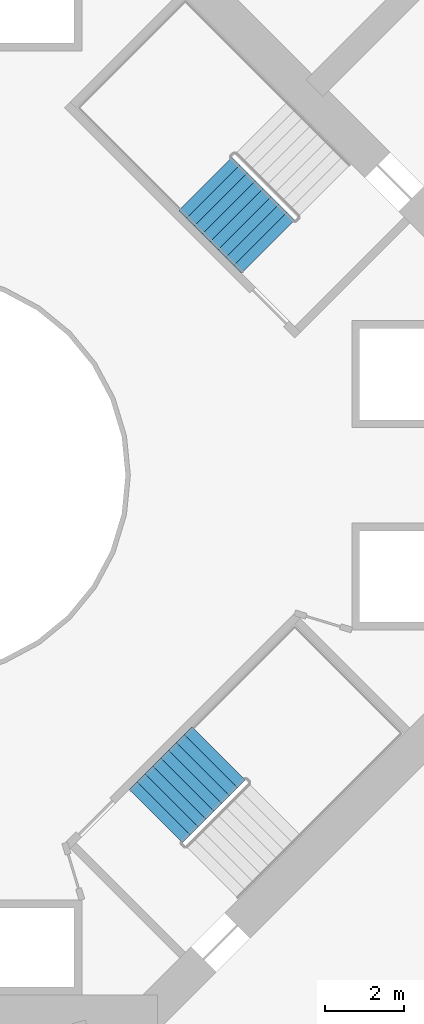
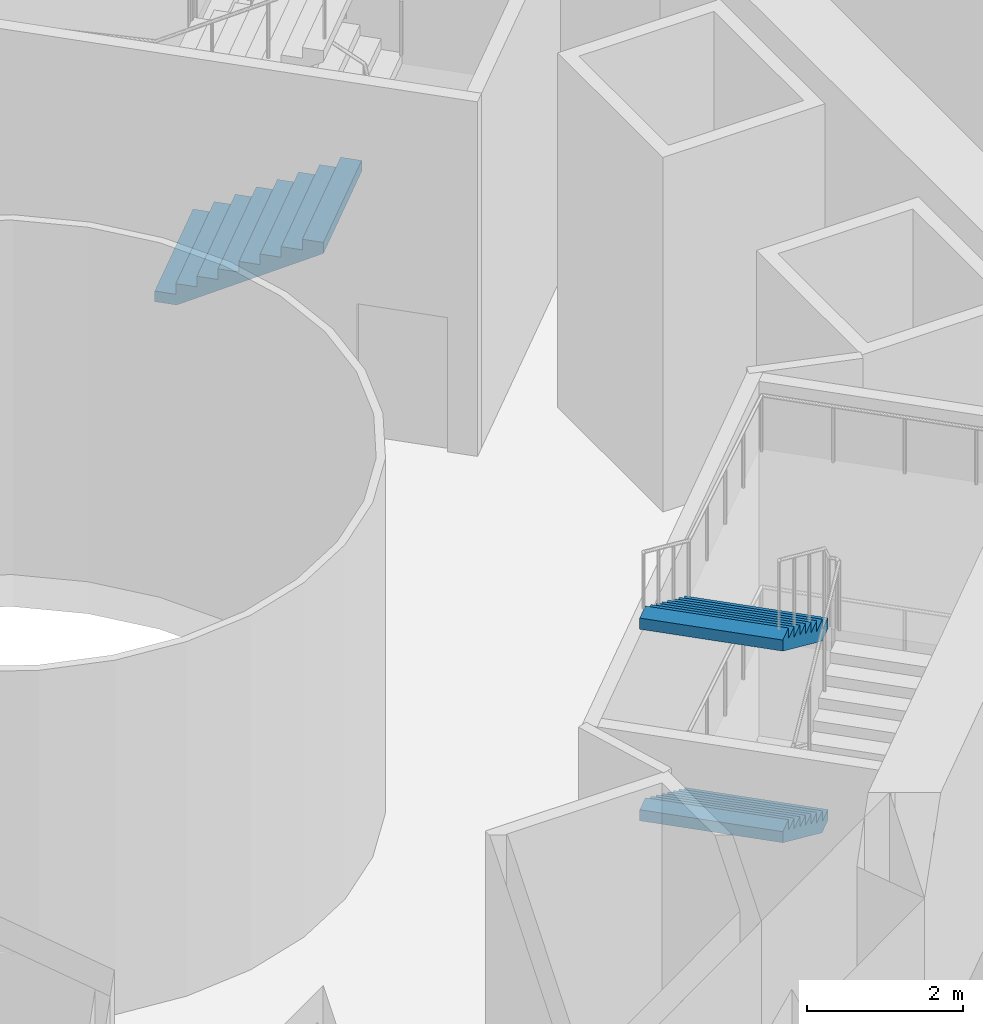
# One storey, part 9 of 12: 3 stair flights, 2 elements without a shape of their own.
"""IFC4 building model written with IfcOpenShell, lengths in metres."""

import ifcopenshell
import ifcopenshell.guid

model = None  # the IFC model being written
_history = None  # IfcOwnerHistory: only IFC2X3 demands one
_inside = {}  # id of a spatial element -> (the spatial element, [elements in it])
_under = {}  # id of a project, library or spatial element -> (it, [spatial elements below it])
_declared = {}  # id of a project -> (the project, [libraries it declares])
_typed = {}  # id of a type object -> (the type object, [elements of that type])
_made_of = {}  # id of a material, layer set ... -> (it, [elements and type objects made of it])


def new_model(schema):
    """Start an empty IFC model of exactly this schema.

    Asked for "IFC4X3", IfcOpenShell would pick the latest addendum, in which some entities
    have other attributes; the version numbers below select the first issue.
    IFC2X3 requires an IfcOwnerHistory on every rooted entity: one is made here for all.
    """
    global model, _history
    if schema == "IFC4X3":
        model = ifcopenshell.file(schema_version=(4, 3, 0, 0))
    else:
        model = ifcopenshell.file(schema=schema)
    _inside.clear()
    _under.clear()
    _declared.clear()
    _typed.clear()
    _made_of.clear()
    _history = None
    if model.schema == "IFC2X3":
        org = make("IfcOrganization", Name="unknown")
        user = make(
            "IfcPersonAndOrganization",
            ThePerson=make("IfcPerson", FamilyName="unknown"),
            TheOrganization=org,
        )
        app = make(
            "IfcApplication",
            ApplicationDeveloper=org,
            Version="unknown",
            ApplicationFullName="unknown",
            ApplicationIdentifier="unknown",
        )
        _history = make(
            "IfcOwnerHistory",
            OwningUser=user,
            OwningApplication=app,
            ChangeAction="ADDED",
            CreationDate=0,
        )
    return model


def make(cls, **values):
    """One entity of the class cls with the attributes given. An attribute that is None is left unset."""
    return model.create_entity(
        cls, **{name: value for name, value in values.items() if value is not None}
    )


def rooted(cls, **values):
    """An entity with a GlobalId (a new one), such as an element, a storey or a relation."""
    return make(cls, GlobalId=ifcopenshell.guid.new(), OwnerHistory=_history, **values)


def si_unit(unit_type, name, prefix=None):
    """IfcSIUnit, for example si_unit("LENGTHUNIT", "METRE", prefix="MILLI")."""
    return make("IfcSIUnit", UnitType=unit_type, Prefix=prefix, Name=name)


def assignment(units):
    """IfcUnitAssignment: the units of a project."""
    return None if units is None else make("IfcUnitAssignment", Units=units)


def point(xyz):
    """IfcCartesianPoint."""
    return None if xyz is None else make("IfcCartesianPoint", Coordinates=xyz)


def direction(xyz):
    """IfcDirection."""
    return None if xyz is None else make("IfcDirection", DirectionRatios=xyz)


def frame(location, z_axis=None, x_axis=None):
    """IfcAxis2Placement3D, a coordinate frame: its origin and axes. An axis left out is left unset."""
    return make(
        "IfcAxis2Placement3D",
        Location=point(location),
        Axis=direction(z_axis),
        RefDirection=direction(x_axis),
    )


def origin():
    """The frame at (0, 0, 0) with its axes left unset."""
    return frame((0.0, 0.0, 0.0))


def place(relative_to, where):
    """IfcLocalPlacement: puts the frame where relative to a parent placement (None: the world)."""
    return make(
        "IfcLocalPlacement", PlacementRelTo=relative_to, RelativePlacement=where
    )


def context(
    kind, dimensions, precision=None, world=None, true_north=None, identifier=None
):
    """IfcGeometricRepresentationContext, for example the 3D "Model" context."""
    return make(
        "IfcGeometricRepresentationContext",
        ContextIdentifier=identifier,
        ContextType=kind,
        CoordinateSpaceDimension=dimensions,
        Precision=precision,
        WorldCoordinateSystem=world,
        TrueNorth=true_north,
    )


def subcontext(parent, identifier, kind, view, scale=None):
    """IfcGeometricRepresentationSubContext, for example "Body" below "Model"."""
    return make(
        "IfcGeometricRepresentationSubContext",
        ContextIdentifier=identifier,
        ContextType=kind,
        ParentContext=parent,
        TargetScale=scale,
        TargetView=view,
    )


def project(units=None, contexts=None):
    """IfcProject with its units and contexts."""
    return rooted(
        "IfcProject",
        Name="project",
        RepresentationContexts=contexts,
        UnitsInContext=assignment(units),
    )


def spatial(cls, under=None, at=None, **own):
    """A site, building, storey or space (cls), placed at a placement, below another one or the project."""
    s = rooted(cls, ObjectPlacement=at, **own)
    if under is not None:
        _under.setdefault(under.id(), (under, []))[1].append(s)
    return s


def point_list(points):
    """IfcCartesianPointList2D or 3D."""
    cls = (
        "IfcCartesianPointList2D" if len(points[0]) == 2 else "IfcCartesianPointList3D"
    )
    return make(cls, CoordList=points)


def triangles(points, corners, closed=None, point_numbers=None):
    """IfcTriangulatedFaceSet: each triangle names its three corners, points numbered from 1."""
    return make(
        "IfcTriangulatedFaceSet",
        Coordinates=point_list(points),
        Closed=closed,
        CoordIndex=corners,
        PnIndex=point_numbers,
    )


def shape(context_of_items, identifier, shape_type, items):
    """IfcShapeRepresentation: the items that make up one representation, for example the "Body"."""
    return make(
        "IfcShapeRepresentation",
        ContextOfItems=context_of_items,
        RepresentationIdentifier=identifier,
        RepresentationType=shape_type,
        Items=items,
    )


def material(Name=None, Category=None):
    """IfcMaterial."""
    return make("IfcMaterial", Name=Name, Category=Category)


def made_of(thing, what):
    """Note that an element or type object is made of a material, layer set ...; save() writes the relation."""
    if what is not None:
        _made_of.setdefault(what.id(), (what, []))[1].append(thing)
    return thing


def type_object(cls, material=None, **own):
    """A type object (cls), such as IfcWallType, which elements share."""
    return made_of(rooted(cls, **own), material)


def element(
    cls,
    number,
    at=None,
    inside=None,
    cuts=None,
    type_object=None,
    material=None,
    context=None,
    identifier="Body",
    shape_type=None,
    held_by="IfcProductDefinitionShape",
    body=None,
    shapes=None,
    **own,
):
    """One element of the class cls, such as IfcWall. Its Tag is "e" and its number.

    at: its placement. inside: the storey or other place that contains it. cuts: it is an
    opening in that element (IfcRelVoidsElement). A single representation is given by context,
    identifier, shape_type and body (its items); several are given by shapes. held_by: the class
    of the entity that holds the representations. save() writes the other relations.
    """
    e = rooted(cls, Tag="e%d" % number, ObjectPlacement=at, **own)
    if body is not None:
        shapes = [shape(context, identifier, shape_type, body)]
    if shapes is not None:
        e.Representation = make(held_by, Representations=shapes)
    if inside is not None:
        _inside.setdefault(inside.id(), (inside, []))[1].append(e)
    if cuts is not None:
        rooted(
            "IfcRelVoidsElement", RelatingBuildingElement=cuts, RelatedOpeningElement=e
        )
    if type_object is not None:
        _typed.setdefault(type_object.id(), (type_object, []))[1].append(e)
    return made_of(e, material)


def aggregate(whole, parts):
    """IfcRelAggregates: a whole, such as a stair, and the parts it consists of."""
    return rooted("IfcRelAggregates", RelatingObject=whole, RelatedObjects=parts)


def save(model, path):
    """Write the relations noted so far, then the file.

    IfcRelAggregates (storeys below a building ...), IfcRelContainedInSpatialStructure (elements
    in a storey), IfcRelDefinesByType, IfcRelAssociatesMaterial and IfcRelDeclares: one each for
    every whole, place, type object, material and project.
    """
    for whole, parts in _under.values():
        aggregate(whole, parts)
    for where, things in _inside.values():
        rooted(
            "IfcRelContainedInSpatialStructure",
            RelatedElements=things,
            RelatingStructure=where,
        )
    for kind, things in _typed.values():
        rooted("IfcRelDefinesByType", RelatedObjects=things, RelatingType=kind)
    for what, things in _made_of.values():
        rooted("IfcRelAssociatesMaterial", RelatedObjects=things, RelatingMaterial=what)
    for by, libraries in _declared.values():
        rooted("IfcRelDeclares", RelatingContext=by, RelatedDefinitions=libraries)
    model.write(path)


model = new_model("IFC4")

# Units and contexts
model_context = context("Model", 3, precision=1e-05, world=origin(), true_north=direction((0.0, 1.0)))
body_context = subcontext(model_context, "Body", "Model", "MODEL_VIEW")
ifc_project = project(units=[si_unit("LENGTHUNIT", "METRE"), si_unit("AREAUNIT", "SQUARE_METRE"), si_unit("VOLUMEUNIT", "CUBIC_METRE"), si_unit("PLANEANGLEUNIT", "RADIAN"), si_unit("MASSUNIT", "GRAM", prefix="KILO")], contexts=[model_context])

# Site, building, storey
site_placement = place(None, origin())
site = spatial("IfcSite", under=ifc_project, at=site_placement, CompositionType="ELEMENT")
building_placement = place(site_placement, origin())
building = spatial("IfcBuilding", under=site, at=building_placement, Name="Verdalira Terraces Hotel", CompositionType="ELEMENT")
storey_placement = place(building_placement, frame((0.0, 0.0, 28.0)))
storey = spatial("IfcBuildingStorey", under=building, at=storey_placement, Name="L05", CompositionType="ELEMENT", Elevation=28.0)

# Stair, stair flight
ifc_material_1 = material(Name="Concrete C40", Category="concrete")
stair_type = type_object("IfcStairType", Name="Core stair 36 risers 1900 mm wide", PredefinedType="HALF_TURN_STAIR", material=ifc_material_1)
stair_1_placement = place(storey_placement, origin())
stair_1 = element("IfcStair", 1, at=stair_1_placement, inside=storey, type_object=stair_type, Name="L05 Exit stair ST1", PredefinedType="HALF_TURN_STAIR")
ifc_material_2 = material(Name="Concrete C40", Category="concrete")
stair_flight_type = type_object("IfcStairFlightType", Name="Core stair flight 36 risers 1900 mm wide", PredefinedType="STRAIGHT", material=ifc_material_2)
stair_flight_1_placement = place(storey_placement, frame((7.007324, 7.346924, 1.5), z_axis=(0.0, 0.0, 1.0), x_axis=(0.707106781, -0.707106781, 0.0)))
stair_flight_1 = element("IfcStairFlight", 2, at=stair_flight_1_placement, type_object=stair_flight_type, Name="ST1 flight 2", NumberOfRisers=9, NumberOfTreads=8, PredefinedType="STRAIGHT", RiserHeight=0.166666667, TreadLength=0.28, context=body_context, shape_type="Tessellation", body=[
    triangles([(0.0, 0.949951, 0.0), (0.292969, 0.949951, 0.0), (2.23999, 0.949951, 1.158936), (0.0, -0.949951, 0.0), (0.292969, -0.949951, 0.0), (2.23999, -0.949951, 1.158936), (2.23999, 0.949951, 1.333252), (1.959961, 0.949951, 1.333252), (2.23999, -0.949951, 1.333252), (1.959961, -0.949951, 1.333252), (1.959961, 0.949951, 1.166748), (1.959961, -0.949951, 1.166748), (1.679932, 0.949951, 1.166748), (1.679932, -0.949951, 1.166748), (1.679932, 0.949951, 1.0), (1.679932, -0.949951, 1.0), (1.399902, 0.949951, 1.0), (1.399902, 0.949951, 0.833252), (1.399902, -0.949951, 1.0), (1.399902, -0.949951, 0.833252), (1.120117, 0.949951, 0.833252), (1.120117, 0.949951, 0.666748), (1.120117, -0.949951, 0.833252), (1.120117, -0.949951, 0.666748), (0.840088, 0.949951, 0.666748), (0.840088, 0.949951, 0.5), (0.840088, -0.949951, 0.666748), (0.840088, -0.949951, 0.5), (0.560059, 0.949951, 0.5), (0.560059, 0.949951, 0.333252), (0.560059, -0.949951, 0.5), (0.560059, -0.949951, 0.333252), (0.280029, 0.949951, 0.333252), (0.280029, 0.949951, 0.166748), (0.280029, -0.949951, 0.333252), (0.280029, -0.949951, 0.166748), (0.0, 0.949951, 0.166748), (0.0, -0.949951, 0.166748), (0.0, -0.890579, 0.0), (0.0, -0.890579, 0.166748), (0.0, -0.831207, 0.0), (0.0, -0.831207, 0.166748), (0.0, -0.771835, 0.0), (0.0, -0.771835, 0.166748), (0.0, -0.712463, 0.0), (0.0, -0.712463, 0.166748), (0.0, -0.653091, 0.0), (0.0, -0.653091, 0.166748), (0.0, -0.593719, 0.0), (0.0, -0.593719, 0.166748), (0.0, -0.534348, 0.0), (0.0, -0.534348, 0.166748), (0.0, -0.474976, 0.0), (0.0, -0.474976, 0.166748), (0.0, -0.415604, 0.0), (0.0, -0.415604, 0.166748), (0.0, -0.356232, 0.0), (0.0, -0.356232, 0.166748), (0.0, -0.29686, 0.0), (0.0, -0.29686, 0.166748), (0.0, -0.237488, 0.0), (0.0, -0.237488, 0.166748), (0.0, -0.178116, 0.0), (0.0, -0.178116, 0.166748), (0.0, -0.118744, 0.0), (0.0, -0.118744, 0.166748), (0.0, -0.059372, 0.0), (0.0, -0.059372, 0.166748), (0.0, 0.0, 0.0), (0.0, 0.0, 0.166748), (0.0, 0.059372, 0.0), (0.0, 0.059372, 0.166748), (0.0, 0.118744, 0.0), (0.0, 0.118744, 0.166748), (0.0, 0.178116, 0.0), (0.0, 0.178116, 0.166748), (0.0, 0.237488, 0.0), (0.0, 0.237488, 0.166748), (0.0, 0.29686, 0.0), (0.0, 0.29686, 0.166748), (0.0, 0.356232, 0.0), (0.0, 0.356232, 0.166748), (0.0, 0.415604, 0.0), (0.0, 0.415604, 0.166748), (0.0, 0.474976, 0.0), (0.0, 0.474976, 0.166748), (0.0, 0.534348, 0.0), (0.0, 0.534348, 0.166748), (0.0, 0.593719, 0.0), (0.0, 0.593719, 0.166748), (0.0, 0.653091, 0.0), (0.0, 0.653091, 0.166748), (0.0, 0.712463, 0.0), (0.0, 0.712463, 0.166748), (0.0, 0.771835, 0.0), (0.0, 0.771835, 0.166748), (0.0, 0.831207, 0.0), (0.0, 0.831207, 0.166748), (0.0, 0.890579, 0.0), (0.0, 0.890579, 0.166748), (2.23999, -0.890579, 1.333252), (2.23999, -0.831207, 1.333252), (2.23999, -0.771835, 1.333252), (2.23999, -0.712463, 1.333252), (2.23999, -0.653091, 1.333252), (2.23999, -0.593719, 1.333252), (2.23999, -0.534348, 1.333252), (2.23999, -0.474976, 1.333252), (2.23999, -0.415604, 1.333252), (2.23999, -0.356232, 1.333252), (2.23999, -0.29686, 1.333252), (2.23999, -0.237488, 1.333252), (2.23999, -0.178116, 1.333252), (2.23999, -0.118744, 1.333252), (2.23999, -0.059372, 1.333252), (2.23999, 0.0, 1.333252), (2.23999, 0.059372, 1.333252), (2.23999, 0.118744, 1.333252), (2.23999, 0.178116, 1.333252), (2.23999, 0.237488, 1.333252), (2.23999, 0.29686, 1.333252), (2.23999, 0.356232, 1.333252), (2.23999, 0.415604, 1.333252), (2.23999, 0.474976, 1.333252), (2.23999, 0.534348, 1.333252), (2.23999, 0.593719, 1.333252), (2.23999, 0.653091, 1.333252), (2.23999, 0.712463, 1.333252), (2.23999, 0.771835, 1.333252), (2.23999, 0.831207, 1.333252), (2.23999, 0.890579, 1.333252), (2.23999, -0.890579, 1.158936), (2.23999, -0.831207, 1.158936), (2.23999, -0.771835, 1.158936), (2.23999, -0.712463, 1.158936), (2.23999, -0.653091, 1.158936), (2.23999, -0.593719, 1.158936), (2.23999, -0.534348, 1.158936), (2.23999, -0.474976, 1.158936), (2.23999, -0.415604, 1.158936), (2.23999, -0.356232, 1.158936), (2.23999, -0.29686, 1.158936), (2.23999, -0.237488, 1.158936), (2.23999, -0.178116, 1.158936), (2.23999, -0.118744, 1.158936), (2.23999, -0.059372, 1.158936), (2.23999, 0.0, 1.158936), (2.23999, 0.059372, 1.158936), (2.23999, 0.118744, 1.158936), (2.23999, 0.178116, 1.158936), (2.23999, 0.237488, 1.158936), (2.23999, 0.29686, 1.158936), (2.23999, 0.356232, 1.158936), (2.23999, 0.415604, 1.158936), (2.23999, 0.474976, 1.158936), (2.23999, 0.534348, 1.158936), (2.23999, 0.593719, 1.158936), (2.23999, 0.653091, 1.158936), (2.23999, 0.712463, 1.158936), (2.23999, 0.771835, 1.158936), (2.23999, 0.831207, 1.158936), (2.23999, 0.890579, 1.158936)], [[1, 3, 2], [4, 5, 6], [3, 8, 7], [6, 9, 10], [3, 11, 8], [6, 10, 12], [3, 13, 11], [6, 12, 14], [3, 15, 13], [6, 14, 16], [15, 18, 17], [16, 19, 20], [3, 18, 15], [6, 16, 20], [18, 22, 21], [20, 23, 24], [3, 22, 18], [6, 20, 24], [22, 26, 25], [24, 27, 28], [3, 26, 22], [6, 24, 28], [26, 30, 29], [28, 31, 32], [3, 30, 26], [6, 28, 32], [1, 30, 3], [4, 6, 32], [30, 34, 33], [32, 35, 36], [1, 34, 30], [4, 32, 36], [34, 1, 37], [36, 38, 4], [4, 40, 39], [4, 38, 40], [39, 42, 41], [39, 40, 42], [41, 44, 43], [41, 42, 44], [43, 46, 45], [43, 44, 46], [45, 48, 47], [45, 46, 48], [47, 50, 49], [47, 48, 50], [49, 52, 51], [49, 50, 52], [51, 54, 53], [51, 52, 54], [53, 56, 55], [53, 54, 56], [55, 58, 57], [55, 56, 58], [57, 60, 59], [57, 58, 60], [59, 62, 61], [59, 60, 62], [61, 64, 63], [61, 62, 64], [63, 66, 65], [63, 64, 66], [65, 68, 67], [65, 66, 68], [67, 70, 69], [67, 68, 70], [69, 72, 71], [69, 70, 72], [71, 74, 73], [71, 72, 74], [73, 76, 75], [73, 74, 76], [75, 78, 77], [75, 76, 78], [77, 80, 79], [77, 78, 80], [79, 82, 81], [79, 80, 82], [81, 84, 83], [81, 82, 84], [83, 86, 85], [83, 84, 86], [85, 88, 87], [85, 86, 88], [87, 90, 89], [87, 88, 90], [89, 92, 91], [89, 90, 92], [91, 94, 93], [91, 92, 94], [93, 96, 95], [93, 94, 96], [95, 98, 97], [95, 96, 98], [97, 100, 99], [97, 98, 100], [99, 37, 1], [99, 100, 37], [38, 36, 40], [40, 36, 42], [42, 36, 44], [44, 36, 46], [46, 36, 48], [48, 36, 50], [50, 36, 52], [52, 36, 54], [54, 36, 56], [56, 36, 58], [58, 36, 60], [60, 36, 62], [62, 36, 64], [64, 36, 66], [66, 36, 68], [68, 36, 70], [70, 36, 72], [72, 36, 74], [74, 36, 76], [76, 36, 78], [78, 36, 80], [80, 36, 82], [82, 36, 84], [84, 36, 86], [86, 36, 88], [88, 36, 90], [90, 36, 92], [92, 36, 94], [94, 36, 96], [96, 36, 98], [98, 36, 100], [100, 36, 37], [37, 36, 34], [36, 33, 34], [36, 35, 33], [35, 30, 33], [35, 32, 30], [32, 29, 30], [32, 31, 29], [31, 26, 29], [31, 28, 26], [28, 25, 26], [28, 27, 25], [27, 22, 25], [27, 24, 22], [24, 21, 22], [24, 23, 21], [23, 18, 21], [23, 20, 18], [20, 17, 18], [20, 19, 17], [19, 15, 17], [19, 16, 15], [16, 13, 15], [16, 14, 13], [14, 11, 13], [14, 12, 11], [12, 8, 11], [12, 10, 8], [9, 101, 10], [101, 102, 10], [102, 103, 10], [103, 104, 10], [104, 105, 10], [105, 106, 10], [106, 107, 10], [107, 108, 10], [108, 109, 10], [109, 110, 10], [110, 111, 10], [111, 112, 10], [112, 113, 10], [113, 114, 10], [114, 115, 10], [115, 116, 10], [116, 117, 10], [117, 118, 10], [118, 119, 10], [119, 120, 10], [120, 121, 10], [121, 122, 10], [122, 123, 10], [123, 124, 10], [124, 125, 10], [125, 126, 10], [126, 127, 10], [127, 128, 10], [128, 129, 10], [129, 130, 10], [130, 131, 10], [131, 7, 10], [7, 8, 10], [9, 132, 101], [9, 6, 132], [101, 133, 102], [101, 132, 133], [102, 134, 103], [102, 133, 134], [103, 135, 104], [103, 134, 135], [104, 136, 105], [104, 135, 136], [105, 137, 106], [105, 136, 137], [106, 138, 107], [106, 137, 138], [107, 139, 108], [107, 138, 139], [108, 140, 109], [108, 139, 140], [109, 141, 110], [109, 140, 141], [110, 142, 111], [110, 141, 142], [111, 143, 112], [111, 142, 143], [112, 144, 113], [112, 143, 144], [113, 145, 114], [113, 144, 145], [114, 146, 115], [114, 145, 146], [115, 147, 116], [115, 146, 147], [116, 148, 117], [116, 147, 148], [117, 149, 118], [117, 148, 149], [118, 150, 119], [118, 149, 150], [119, 151, 120], [119, 150, 151], [120, 152, 121], [120, 151, 152], [121, 153, 122], [121, 152, 153], [122, 154, 123], [122, 153, 154], [123, 155, 124], [123, 154, 155], [124, 156, 125], [124, 155, 156], [125, 157, 126], [125, 156, 157], [126, 158, 127], [126, 157, 158], [127, 159, 128], [127, 158, 159], [128, 160, 129], [128, 159, 160], [129, 161, 130], [129, 160, 161], [130, 162, 131], [130, 161, 162], [131, 3, 7], [131, 162, 3], [6, 5, 132], [132, 5, 133], [133, 5, 134], [134, 5, 135], [135, 5, 136], [136, 5, 137], [137, 5, 138], [138, 5, 139], [139, 5, 140], [140, 5, 141], [141, 5, 142], [142, 5, 143], [143, 5, 144], [144, 5, 145], [145, 5, 146], [146, 5, 147], [147, 5, 148], [148, 5, 149], [149, 5, 150], [150, 5, 151], [151, 5, 152], [152, 5, 153], [153, 5, 154], [154, 5, 155], [155, 5, 156], [156, 5, 157], [157, 5, 158], [158, 5, 159], [159, 5, 160], [160, 5, 161], [161, 5, 162], [162, 5, 3], [3, 5, 2], [4, 39, 5], [39, 41, 5], [41, 43, 5], [43, 45, 5], [45, 47, 5], [47, 49, 5], [49, 51, 5], [51, 53, 5], [53, 55, 5], [55, 57, 5], [57, 59, 5], [59, 61, 5], [61, 63, 5], [63, 65, 5], [65, 67, 5], [67, 69, 5], [69, 71, 5], [71, 73, 5], [73, 75, 5], [75, 77, 5], [77, 79, 5], [79, 81, 5], [81, 83, 5], [83, 85, 5], [85, 87, 5], [87, 89, 5], [89, 91, 5], [91, 93, 5], [93, 95, 5], [95, 97, 5], [97, 99, 5], [99, 1, 5], [1, 2, 5]], closed=True),
])
aggregate(stair_1, [stair_flight_1])

# Stair, stair flights
stair_2_placement = place(storey_placement, origin())
stair_2 = element("IfcStair", 3, at=stair_2_placement, inside=storey, type_object=stair_type, Name="L05 Exit stair ST3", PredefinedType="HALF_TURN_STAIR")
stair_flight_2_placement = place(storey_placement, frame((7.346924, -7.007324, 1.5), z_axis=(0.0, 0.0, 1.0), x_axis=(-0.707106781, -0.707106781, 0.0)))
stair_flight_2 = element("IfcStairFlight", 4, at=stair_flight_2_placement, type_object=stair_flight_type, Name="ST3 flight 2", NumberOfRisers=9, NumberOfTreads=8, PredefinedType="STRAIGHT", RiserHeight=0.166666667, TreadLength=0.28, context=body_context, shape_type="Tessellation", body=[
    triangles([(0.0, 0.949951, 0.0), (0.292969, 0.949951, 0.0), (2.23999, 0.949951, 1.158936), (0.0, -0.949951, 0.0), (0.292969, -0.949951, 0.0), (2.23999, -0.949951, 1.158936), (2.23999, 0.949951, 1.333252), (1.959961, 0.949951, 1.333252), (2.23999, -0.949951, 1.333252), (1.959961, -0.949951, 1.333252), (1.959961, 0.949951, 1.166748), (1.959961, -0.949951, 1.166748), (1.679932, 0.949951, 1.166748), (1.679932, -0.949951, 1.166748), (1.679932, 0.949951, 1.0), (1.679932, -0.949951, 1.0), (1.399902, 0.949951, 1.0), (1.399902, 0.949951, 0.833252), (1.399902, -0.949951, 1.0), (1.399902, -0.949951, 0.833252), (1.120117, 0.949951, 0.833252), (1.120117, 0.949951, 0.666748), (1.120117, -0.949951, 0.833252), (1.120117, -0.949951, 0.666748), (0.840088, 0.949951, 0.666748), (0.840088, 0.949951, 0.5), (0.840088, -0.949951, 0.666748), (0.840088, -0.949951, 0.5), (0.560059, 0.949951, 0.5), (0.560059, 0.949951, 0.333252), (0.560059, -0.949951, 0.5), (0.560059, -0.949951, 0.333252), (0.280029, 0.949951, 0.333252), (0.280029, 0.949951, 0.166748), (0.280029, -0.949951, 0.333252), (0.280029, -0.949951, 0.166748), (0.0, 0.949951, 0.166748), (0.0, -0.949951, 0.166748), (0.0, -0.890579, 0.0), (0.0, -0.890579, 0.166748), (0.0, -0.831207, 0.0), (0.0, -0.831207, 0.166748), (0.0, -0.771835, 0.0), (0.0, -0.771835, 0.166748), (0.0, -0.712463, 0.0), (0.0, -0.712463, 0.166748), (0.0, -0.653091, 0.0), (0.0, -0.653091, 0.166748), (0.0, -0.593719, 0.0), (0.0, -0.593719, 0.166748), (0.0, -0.534348, 0.0), (0.0, -0.534348, 0.166748), (0.0, -0.474976, 0.0), (0.0, -0.474976, 0.166748), (0.0, -0.415604, 0.0), (0.0, -0.415604, 0.166748), (0.0, -0.356232, 0.0), (0.0, -0.356232, 0.166748), (0.0, -0.29686, 0.0), (0.0, -0.29686, 0.166748), (0.0, -0.237488, 0.0), (0.0, -0.237488, 0.166748), (0.0, -0.178116, 0.0), (0.0, -0.178116, 0.166748), (0.0, -0.118744, 0.0), (0.0, -0.118744, 0.166748), (0.0, -0.059372, 0.0), (0.0, -0.059372, 0.166748), (0.0, 0.0, 0.0), (0.0, 0.0, 0.166748), (0.0, 0.059372, 0.0), (0.0, 0.059372, 0.166748), (0.0, 0.118744, 0.0), (0.0, 0.118744, 0.166748), (0.0, 0.178116, 0.0), (0.0, 0.178116, 0.166748), (0.0, 0.237488, 0.0), (0.0, 0.237488, 0.166748), (0.0, 0.29686, 0.0), (0.0, 0.29686, 0.166748), (0.0, 0.356232, 0.0), (0.0, 0.356232, 0.166748), (0.0, 0.415604, 0.0), (0.0, 0.415604, 0.166748), (0.0, 0.474976, 0.0), (0.0, 0.474976, 0.166748), (0.0, 0.534348, 0.0), (0.0, 0.534348, 0.166748), (0.0, 0.593719, 0.0), (0.0, 0.593719, 0.166748), (0.0, 0.653091, 0.0), (0.0, 0.653091, 0.166748), (0.0, 0.712463, 0.0), (0.0, 0.712463, 0.166748), (0.0, 0.771835, 0.0), (0.0, 0.771835, 0.166748), (0.0, 0.831207, 0.0), (0.0, 0.831207, 0.166748), (0.0, 0.890579, 0.0), (0.0, 0.890579, 0.166748), (2.23999, -0.890579, 1.333252), (2.23999, -0.831207, 1.333252), (2.23999, -0.771835, 1.333252), (2.23999, -0.712463, 1.333252), (2.23999, -0.653091, 1.333252), (2.23999, -0.593719, 1.333252), (2.23999, -0.534348, 1.333252), (2.23999, -0.474976, 1.333252), (2.23999, -0.415604, 1.333252), (2.23999, -0.356232, 1.333252), (2.23999, -0.29686, 1.333252), (2.23999, -0.237488, 1.333252), (2.23999, -0.178116, 1.333252), (2.23999, -0.118744, 1.333252), (2.23999, -0.059372, 1.333252), (2.23999, 0.0, 1.333252), (2.23999, 0.059372, 1.333252), (2.23999, 0.118744, 1.333252), (2.23999, 0.178116, 1.333252), (2.23999, 0.237488, 1.333252), (2.23999, 0.29686, 1.333252), (2.23999, 0.356232, 1.333252), (2.23999, 0.415604, 1.333252), (2.23999, 0.474976, 1.333252), (2.23999, 0.534348, 1.333252), (2.23999, 0.593719, 1.333252), (2.23999, 0.653091, 1.333252), (2.23999, 0.712463, 1.333252), (2.23999, 0.771835, 1.333252), (2.23999, 0.831207, 1.333252), (2.23999, 0.890579, 1.333252), (2.23999, -0.890579, 1.158936), (2.23999, -0.831207, 1.158936), (2.23999, -0.771835, 1.158936), (2.23999, -0.712463, 1.158936), (2.23999, -0.653091, 1.158936), (2.23999, -0.593719, 1.158936), (2.23999, -0.534348, 1.158936), (2.23999, -0.474976, 1.158936), (2.23999, -0.415604, 1.158936), (2.23999, -0.356232, 1.158936), (2.23999, -0.29686, 1.158936), (2.23999, -0.237488, 1.158936), (2.23999, -0.178116, 1.158936), (2.23999, -0.118744, 1.158936), (2.23999, -0.059372, 1.158936), (2.23999, 0.0, 1.158936), (2.23999, 0.059372, 1.158936), (2.23999, 0.118744, 1.158936), (2.23999, 0.178116, 1.158936), (2.23999, 0.237488, 1.158936), (2.23999, 0.29686, 1.158936), (2.23999, 0.356232, 1.158936), (2.23999, 0.415604, 1.158936), (2.23999, 0.474976, 1.158936), (2.23999, 0.534348, 1.158936), (2.23999, 0.593719, 1.158936), (2.23999, 0.653091, 1.158936), (2.23999, 0.712463, 1.158936), (2.23999, 0.771835, 1.158936), (2.23999, 0.831207, 1.158936), (2.23999, 0.890579, 1.158936)], [[1, 3, 2], [4, 5, 6], [3, 8, 7], [6, 9, 10], [3, 11, 8], [6, 10, 12], [3, 13, 11], [6, 12, 14], [3, 15, 13], [6, 14, 16], [15, 18, 17], [16, 19, 20], [3, 18, 15], [6, 16, 20], [18, 22, 21], [20, 23, 24], [3, 22, 18], [6, 20, 24], [22, 26, 25], [24, 27, 28], [3, 26, 22], [6, 24, 28], [26, 30, 29], [28, 31, 32], [3, 30, 26], [6, 28, 32], [1, 30, 3], [4, 6, 32], [30, 34, 33], [32, 35, 36], [1, 34, 30], [4, 32, 36], [34, 1, 37], [36, 38, 4], [4, 40, 39], [4, 38, 40], [39, 42, 41], [39, 40, 42], [41, 44, 43], [41, 42, 44], [43, 46, 45], [43, 44, 46], [45, 48, 47], [45, 46, 48], [47, 50, 49], [47, 48, 50], [49, 52, 51], [49, 50, 52], [51, 54, 53], [51, 52, 54], [53, 56, 55], [53, 54, 56], [55, 58, 57], [55, 56, 58], [57, 60, 59], [57, 58, 60], [59, 62, 61], [59, 60, 62], [61, 64, 63], [61, 62, 64], [63, 66, 65], [63, 64, 66], [65, 68, 67], [65, 66, 68], [67, 70, 69], [67, 68, 70], [69, 72, 71], [69, 70, 72], [71, 74, 73], [71, 72, 74], [73, 76, 75], [73, 74, 76], [75, 78, 77], [75, 76, 78], [77, 80, 79], [77, 78, 80], [79, 82, 81], [79, 80, 82], [81, 84, 83], [81, 82, 84], [83, 86, 85], [83, 84, 86], [85, 88, 87], [85, 86, 88], [87, 90, 89], [87, 88, 90], [89, 92, 91], [89, 90, 92], [91, 94, 93], [91, 92, 94], [93, 96, 95], [93, 94, 96], [95, 98, 97], [95, 96, 98], [97, 100, 99], [97, 98, 100], [99, 37, 1], [99, 100, 37], [38, 36, 40], [40, 36, 42], [42, 36, 44], [44, 36, 46], [46, 36, 48], [48, 36, 50], [50, 36, 52], [52, 36, 54], [54, 36, 56], [56, 36, 58], [58, 36, 60], [60, 36, 62], [62, 36, 64], [64, 36, 66], [66, 36, 68], [68, 36, 70], [70, 36, 72], [72, 36, 74], [74, 36, 76], [76, 36, 78], [78, 36, 80], [80, 36, 82], [82, 36, 84], [84, 36, 86], [86, 36, 88], [88, 36, 90], [90, 36, 92], [92, 36, 94], [94, 36, 96], [96, 36, 98], [98, 36, 100], [100, 36, 37], [37, 36, 34], [36, 33, 34], [36, 35, 33], [35, 30, 33], [35, 32, 30], [32, 29, 30], [32, 31, 29], [31, 26, 29], [31, 28, 26], [28, 25, 26], [28, 27, 25], [27, 22, 25], [27, 24, 22], [24, 21, 22], [24, 23, 21], [23, 18, 21], [23, 20, 18], [20, 17, 18], [20, 19, 17], [19, 15, 17], [19, 16, 15], [16, 13, 15], [16, 14, 13], [14, 11, 13], [14, 12, 11], [12, 8, 11], [12, 10, 8], [9, 101, 10], [101, 102, 10], [102, 103, 10], [103, 104, 10], [104, 105, 10], [105, 106, 10], [106, 107, 10], [107, 108, 10], [108, 109, 10], [109, 110, 10], [110, 111, 10], [111, 112, 10], [112, 113, 10], [113, 114, 10], [114, 115, 10], [115, 116, 10], [116, 117, 10], [117, 118, 10], [118, 119, 10], [119, 120, 10], [120, 121, 10], [121, 122, 10], [122, 123, 10], [123, 124, 10], [124, 125, 10], [125, 126, 10], [126, 127, 10], [127, 128, 10], [128, 129, 10], [129, 130, 10], [130, 131, 10], [131, 7, 10], [7, 8, 10], [9, 132, 101], [9, 6, 132], [101, 133, 102], [101, 132, 133], [102, 134, 103], [102, 133, 134], [103, 135, 104], [103, 134, 135], [104, 136, 105], [104, 135, 136], [105, 137, 106], [105, 136, 137], [106, 138, 107], [106, 137, 138], [107, 139, 108], [107, 138, 139], [108, 140, 109], [108, 139, 140], [109, 141, 110], [109, 140, 141], [110, 142, 111], [110, 141, 142], [111, 143, 112], [111, 142, 143], [112, 144, 113], [112, 143, 144], [113, 145, 114], [113, 144, 145], [114, 146, 115], [114, 145, 146], [115, 147, 116], [115, 146, 147], [116, 148, 117], [116, 147, 148], [117, 149, 118], [117, 148, 149], [118, 150, 119], [118, 149, 150], [119, 151, 120], [119, 150, 151], [120, 152, 121], [120, 151, 152], [121, 153, 122], [121, 152, 153], [122, 154, 123], [122, 153, 154], [123, 155, 124], [123, 154, 155], [124, 156, 125], [124, 155, 156], [125, 157, 126], [125, 156, 157], [126, 158, 127], [126, 157, 158], [127, 159, 128], [127, 158, 159], [128, 160, 129], [128, 159, 160], [129, 161, 130], [129, 160, 161], [130, 162, 131], [130, 161, 162], [131, 3, 7], [131, 162, 3], [6, 5, 132], [132, 5, 133], [133, 5, 134], [134, 5, 135], [135, 5, 136], [136, 5, 137], [137, 5, 138], [138, 5, 139], [139, 5, 140], [140, 5, 141], [141, 5, 142], [142, 5, 143], [143, 5, 144], [144, 5, 145], [145, 5, 146], [146, 5, 147], [147, 5, 148], [148, 5, 149], [149, 5, 150], [150, 5, 151], [151, 5, 152], [152, 5, 153], [153, 5, 154], [154, 5, 155], [155, 5, 156], [156, 5, 157], [157, 5, 158], [158, 5, 159], [159, 5, 160], [160, 5, 161], [161, 5, 162], [162, 5, 3], [3, 5, 2], [4, 39, 5], [39, 41, 5], [41, 43, 5], [43, 45, 5], [45, 47, 5], [47, 49, 5], [49, 51, 5], [51, 53, 5], [53, 55, 5], [55, 57, 5], [57, 59, 5], [59, 61, 5], [61, 63, 5], [63, 65, 5], [65, 67, 5], [67, 69, 5], [69, 71, 5], [71, 73, 5], [73, 75, 5], [75, 77, 5], [77, 79, 5], [79, 81, 5], [81, 83, 5], [83, 85, 5], [85, 87, 5], [87, 89, 5], [89, 91, 5], [91, 93, 5], [93, 95, 5], [95, 97, 5], [97, 99, 5], [99, 1, 5], [1, 2, 5]], closed=True),
])
stair_flight_3_placement = place(storey_placement, frame((7.346924, -7.007324, 4.5), z_axis=(0.0, 0.0, 1.0), x_axis=(-0.707106781, -0.707106781, 0.0)))
stair_flight_3 = element("IfcStairFlight", 5, at=stair_flight_3_placement, type_object=stair_flight_type, Name="ST3 flight 4", NumberOfRisers=9, NumberOfTreads=8, PredefinedType="STRAIGHT", RiserHeight=0.166666667, TreadLength=0.28, context=body_context, shape_type="Tessellation", body=[
    triangles([(0.0, 0.949951, 0.0), (0.292969, 0.949951, 0.0), (2.23999, 0.949951, 1.158936), (0.0, -0.949951, 0.0), (0.292969, -0.949951, 0.0), (2.23999, -0.949951, 1.158936), (2.23999, 0.949951, 1.333252), (1.959961, 0.949951, 1.333252), (2.23999, -0.949951, 1.333252), (1.959961, -0.949951, 1.333252), (1.959961, 0.949951, 1.166748), (1.959961, -0.949951, 1.166748), (1.679932, 0.949951, 1.166748), (1.679932, -0.949951, 1.166748), (1.679932, 0.949951, 1.0), (1.679932, -0.949951, 1.0), (1.399902, 0.949951, 1.0), (1.399902, 0.949951, 0.833252), (1.399902, -0.949951, 1.0), (1.399902, -0.949951, 0.833252), (1.120117, 0.949951, 0.833252), (1.120117, 0.949951, 0.666748), (1.120117, -0.949951, 0.833252), (1.120117, -0.949951, 0.666748), (0.840088, 0.949951, 0.666748), (0.840088, 0.949951, 0.5), (0.840088, -0.949951, 0.666748), (0.840088, -0.949951, 0.5), (0.560059, 0.949951, 0.5), (0.560059, 0.949951, 0.333252), (0.560059, -0.949951, 0.5), (0.560059, -0.949951, 0.333252), (0.280029, 0.949951, 0.333252), (0.280029, 0.949951, 0.166748), (0.280029, -0.949951, 0.333252), (0.280029, -0.949951, 0.166748), (0.0, 0.949951, 0.166748), (0.0, -0.949951, 0.166748), (0.0, -0.890579, 0.0), (0.0, -0.890579, 0.166748), (0.0, -0.831207, 0.0), (0.0, -0.831207, 0.166748), (0.0, -0.771835, 0.0), (0.0, -0.771835, 0.166748), (0.0, -0.712463, 0.0), (0.0, -0.712463, 0.166748), (0.0, -0.653091, 0.0), (0.0, -0.653091, 0.166748), (0.0, -0.593719, 0.0), (0.0, -0.593719, 0.166748), (0.0, -0.534348, 0.0), (0.0, -0.534348, 0.166748), (0.0, -0.474976, 0.0), (0.0, -0.474976, 0.166748), (0.0, -0.415604, 0.0), (0.0, -0.415604, 0.166748), (0.0, -0.356232, 0.0), (0.0, -0.356232, 0.166748), (0.0, -0.29686, 0.0), (0.0, -0.29686, 0.166748), (0.0, -0.237488, 0.0), (0.0, -0.237488, 0.166748), (0.0, -0.178116, 0.0), (0.0, -0.178116, 0.166748), (0.0, -0.118744, 0.0), (0.0, -0.118744, 0.166748), (0.0, -0.059372, 0.0), (0.0, -0.059372, 0.166748), (0.0, 0.0, 0.0), (0.0, 0.0, 0.166748), (0.0, 0.059372, 0.0), (0.0, 0.059372, 0.166748), (0.0, 0.118744, 0.0), (0.0, 0.118744, 0.166748), (0.0, 0.178116, 0.0), (0.0, 0.178116, 0.166748), (0.0, 0.237488, 0.0), (0.0, 0.237488, 0.166748), (0.0, 0.29686, 0.0), (0.0, 0.29686, 0.166748), (0.0, 0.356232, 0.0), (0.0, 0.356232, 0.166748), (0.0, 0.415604, 0.0), (0.0, 0.415604, 0.166748), (0.0, 0.474976, 0.0), (0.0, 0.474976, 0.166748), (0.0, 0.534348, 0.0), (0.0, 0.534348, 0.166748), (0.0, 0.593719, 0.0), (0.0, 0.593719, 0.166748), (0.0, 0.653091, 0.0), (0.0, 0.653091, 0.166748), (0.0, 0.712463, 0.0), (0.0, 0.712463, 0.166748), (0.0, 0.771835, 0.0), (0.0, 0.771835, 0.166748), (0.0, 0.831207, 0.0), (0.0, 0.831207, 0.166748), (0.0, 0.890579, 0.0), (0.0, 0.890579, 0.166748), (2.23999, -0.890579, 1.333252), (2.23999, -0.831207, 1.333252), (2.23999, -0.771835, 1.333252), (2.23999, -0.712463, 1.333252), (2.23999, -0.653091, 1.333252), (2.23999, -0.593719, 1.333252), (2.23999, -0.534348, 1.333252), (2.23999, -0.474976, 1.333252), (2.23999, -0.415604, 1.333252), (2.23999, -0.356232, 1.333252), (2.23999, -0.29686, 1.333252), (2.23999, -0.237488, 1.333252), (2.23999, -0.178116, 1.333252), (2.23999, -0.118744, 1.333252), (2.23999, -0.059372, 1.333252), (2.23999, 0.0, 1.333252), (2.23999, 0.059372, 1.333252), (2.23999, 0.118744, 1.333252), (2.23999, 0.178116, 1.333252), (2.23999, 0.237488, 1.333252), (2.23999, 0.29686, 1.333252), (2.23999, 0.356232, 1.333252), (2.23999, 0.415604, 1.333252), (2.23999, 0.474976, 1.333252), (2.23999, 0.534348, 1.333252), (2.23999, 0.593719, 1.333252), (2.23999, 0.653091, 1.333252), (2.23999, 0.712463, 1.333252), (2.23999, 0.771835, 1.333252), (2.23999, 0.831207, 1.333252), (2.23999, 0.890579, 1.333252), (2.23999, -0.890579, 1.158936), (2.23999, -0.831207, 1.158936), (2.23999, -0.771835, 1.158936), (2.23999, -0.712463, 1.158936), (2.23999, -0.653091, 1.158936), (2.23999, -0.593719, 1.158936), (2.23999, -0.534348, 1.158936), (2.23999, -0.474976, 1.158936), (2.23999, -0.415604, 1.158936), (2.23999, -0.356232, 1.158936), (2.23999, -0.29686, 1.158936), (2.23999, -0.237488, 1.158936), (2.23999, -0.178116, 1.158936), (2.23999, -0.118744, 1.158936), (2.23999, -0.059372, 1.158936), (2.23999, 0.0, 1.158936), (2.23999, 0.059372, 1.158936), (2.23999, 0.118744, 1.158936), (2.23999, 0.178116, 1.158936), (2.23999, 0.237488, 1.158936), (2.23999, 0.29686, 1.158936), (2.23999, 0.356232, 1.158936), (2.23999, 0.415604, 1.158936), (2.23999, 0.474976, 1.158936), (2.23999, 0.534348, 1.158936), (2.23999, 0.593719, 1.158936), (2.23999, 0.653091, 1.158936), (2.23999, 0.712463, 1.158936), (2.23999, 0.771835, 1.158936), (2.23999, 0.831207, 1.158936), (2.23999, 0.890579, 1.158936)], [[1, 3, 2], [4, 5, 6], [3, 8, 7], [6, 9, 10], [3, 11, 8], [6, 10, 12], [3, 13, 11], [6, 12, 14], [3, 15, 13], [6, 14, 16], [15, 18, 17], [16, 19, 20], [3, 18, 15], [6, 16, 20], [18, 22, 21], [20, 23, 24], [3, 22, 18], [6, 20, 24], [22, 26, 25], [24, 27, 28], [3, 26, 22], [6, 24, 28], [26, 30, 29], [28, 31, 32], [3, 30, 26], [6, 28, 32], [1, 30, 3], [4, 6, 32], [30, 34, 33], [32, 35, 36], [1, 34, 30], [4, 32, 36], [34, 1, 37], [36, 38, 4], [4, 40, 39], [4, 38, 40], [39, 42, 41], [39, 40, 42], [41, 44, 43], [41, 42, 44], [43, 46, 45], [43, 44, 46], [45, 48, 47], [45, 46, 48], [47, 50, 49], [47, 48, 50], [49, 52, 51], [49, 50, 52], [51, 54, 53], [51, 52, 54], [53, 56, 55], [53, 54, 56], [55, 58, 57], [55, 56, 58], [57, 60, 59], [57, 58, 60], [59, 62, 61], [59, 60, 62], [61, 64, 63], [61, 62, 64], [63, 66, 65], [63, 64, 66], [65, 68, 67], [65, 66, 68], [67, 70, 69], [67, 68, 70], [69, 72, 71], [69, 70, 72], [71, 74, 73], [71, 72, 74], [73, 76, 75], [73, 74, 76], [75, 78, 77], [75, 76, 78], [77, 80, 79], [77, 78, 80], [79, 82, 81], [79, 80, 82], [81, 84, 83], [81, 82, 84], [83, 86, 85], [83, 84, 86], [85, 88, 87], [85, 86, 88], [87, 90, 89], [87, 88, 90], [89, 92, 91], [89, 90, 92], [91, 94, 93], [91, 92, 94], [93, 96, 95], [93, 94, 96], [95, 98, 97], [95, 96, 98], [97, 100, 99], [97, 98, 100], [99, 37, 1], [99, 100, 37], [38, 36, 40], [40, 36, 42], [42, 36, 44], [44, 36, 46], [46, 36, 48], [48, 36, 50], [50, 36, 52], [52, 36, 54], [54, 36, 56], [56, 36, 58], [58, 36, 60], [60, 36, 62], [62, 36, 64], [64, 36, 66], [66, 36, 68], [68, 36, 70], [70, 36, 72], [72, 36, 74], [74, 36, 76], [76, 36, 78], [78, 36, 80], [80, 36, 82], [82, 36, 84], [84, 36, 86], [86, 36, 88], [88, 36, 90], [90, 36, 92], [92, 36, 94], [94, 36, 96], [96, 36, 98], [98, 36, 100], [100, 36, 37], [37, 36, 34], [36, 33, 34], [36, 35, 33], [35, 30, 33], [35, 32, 30], [32, 29, 30], [32, 31, 29], [31, 26, 29], [31, 28, 26], [28, 25, 26], [28, 27, 25], [27, 22, 25], [27, 24, 22], [24, 21, 22], [24, 23, 21], [23, 18, 21], [23, 20, 18], [20, 17, 18], [20, 19, 17], [19, 15, 17], [19, 16, 15], [16, 13, 15], [16, 14, 13], [14, 11, 13], [14, 12, 11], [12, 8, 11], [12, 10, 8], [9, 101, 10], [101, 102, 10], [102, 103, 10], [103, 104, 10], [104, 105, 10], [105, 106, 10], [106, 107, 10], [107, 108, 10], [108, 109, 10], [109, 110, 10], [110, 111, 10], [111, 112, 10], [112, 113, 10], [113, 114, 10], [114, 115, 10], [115, 116, 10], [116, 117, 10], [117, 118, 10], [118, 119, 10], [119, 120, 10], [120, 121, 10], [121, 122, 10], [122, 123, 10], [123, 124, 10], [124, 125, 10], [125, 126, 10], [126, 127, 10], [127, 128, 10], [128, 129, 10], [129, 130, 10], [130, 131, 10], [131, 7, 10], [7, 8, 10], [9, 132, 101], [9, 6, 132], [101, 133, 102], [101, 132, 133], [102, 134, 103], [102, 133, 134], [103, 135, 104], [103, 134, 135], [104, 136, 105], [104, 135, 136], [105, 137, 106], [105, 136, 137], [106, 138, 107], [106, 137, 138], [107, 139, 108], [107, 138, 139], [108, 140, 109], [108, 139, 140], [109, 141, 110], [109, 140, 141], [110, 142, 111], [110, 141, 142], [111, 143, 112], [111, 142, 143], [112, 144, 113], [112, 143, 144], [113, 145, 114], [113, 144, 145], [114, 146, 115], [114, 145, 146], [115, 147, 116], [115, 146, 147], [116, 148, 117], [116, 147, 148], [117, 149, 118], [117, 148, 149], [118, 150, 119], [118, 149, 150], [119, 151, 120], [119, 150, 151], [120, 152, 121], [120, 151, 152], [121, 153, 122], [121, 152, 153], [122, 154, 123], [122, 153, 154], [123, 155, 124], [123, 154, 155], [124, 156, 125], [124, 155, 156], [125, 157, 126], [125, 156, 157], [126, 158, 127], [126, 157, 158], [127, 159, 128], [127, 158, 159], [128, 160, 129], [128, 159, 160], [129, 161, 130], [129, 160, 161], [130, 162, 131], [130, 161, 162], [131, 3, 7], [131, 162, 3], [6, 5, 132], [132, 5, 133], [133, 5, 134], [134, 5, 135], [135, 5, 136], [136, 5, 137], [137, 5, 138], [138, 5, 139], [139, 5, 140], [140, 5, 141], [141, 5, 142], [142, 5, 143], [143, 5, 144], [144, 5, 145], [145, 5, 146], [146, 5, 147], [147, 5, 148], [148, 5, 149], [149, 5, 150], [150, 5, 151], [151, 5, 152], [152, 5, 153], [153, 5, 154], [154, 5, 155], [155, 5, 156], [156, 5, 157], [157, 5, 158], [158, 5, 159], [159, 5, 160], [160, 5, 161], [161, 5, 162], [162, 5, 3], [3, 5, 2], [4, 39, 5], [39, 41, 5], [41, 43, 5], [43, 45, 5], [45, 47, 5], [47, 49, 5], [49, 51, 5], [51, 53, 5], [53, 55, 5], [55, 57, 5], [57, 59, 5], [59, 61, 5], [61, 63, 5], [63, 65, 5], [65, 67, 5], [67, 69, 5], [69, 71, 5], [71, 73, 5], [73, 75, 5], [75, 77, 5], [77, 79, 5], [79, 81, 5], [81, 83, 5], [83, 85, 5], [85, 87, 5], [87, 89, 5], [89, 91, 5], [91, 93, 5], [93, 95, 5], [95, 97, 5], [97, 99, 5], [99, 1, 5], [1, 2, 5]], closed=True),
])
aggregate(stair_2, [stair_flight_2, stair_flight_3])

save(model, "model.ifc")
